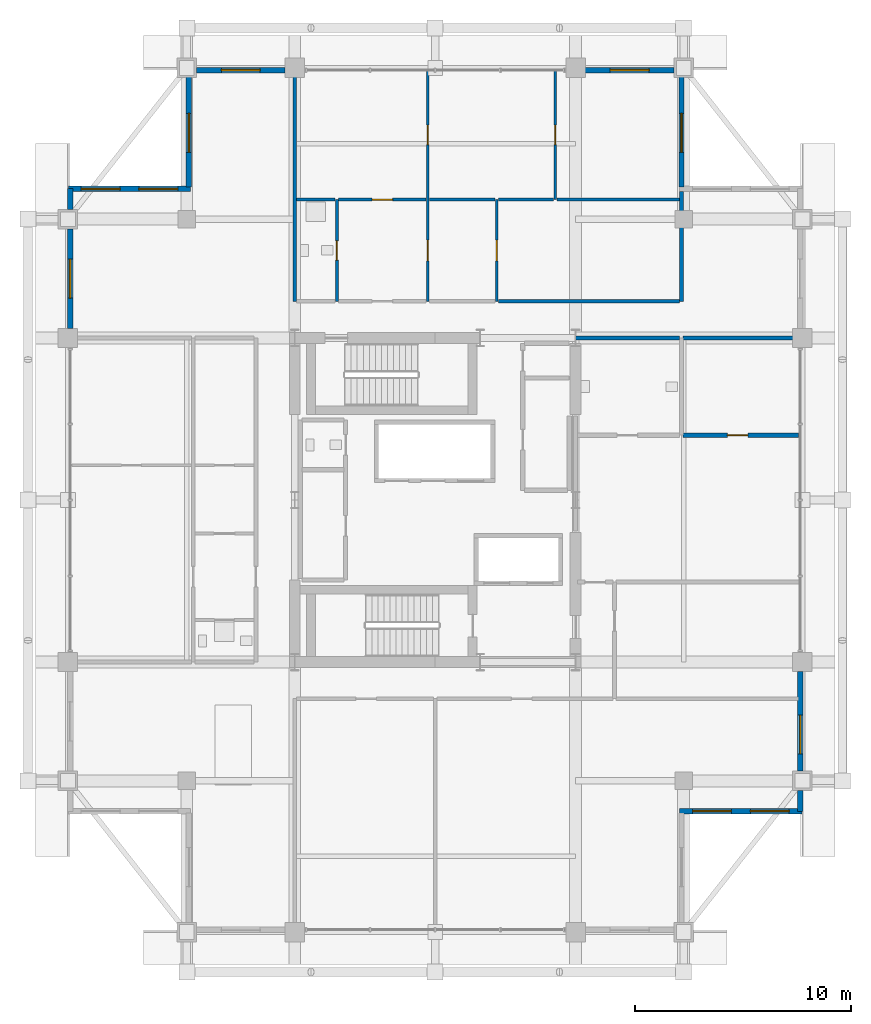
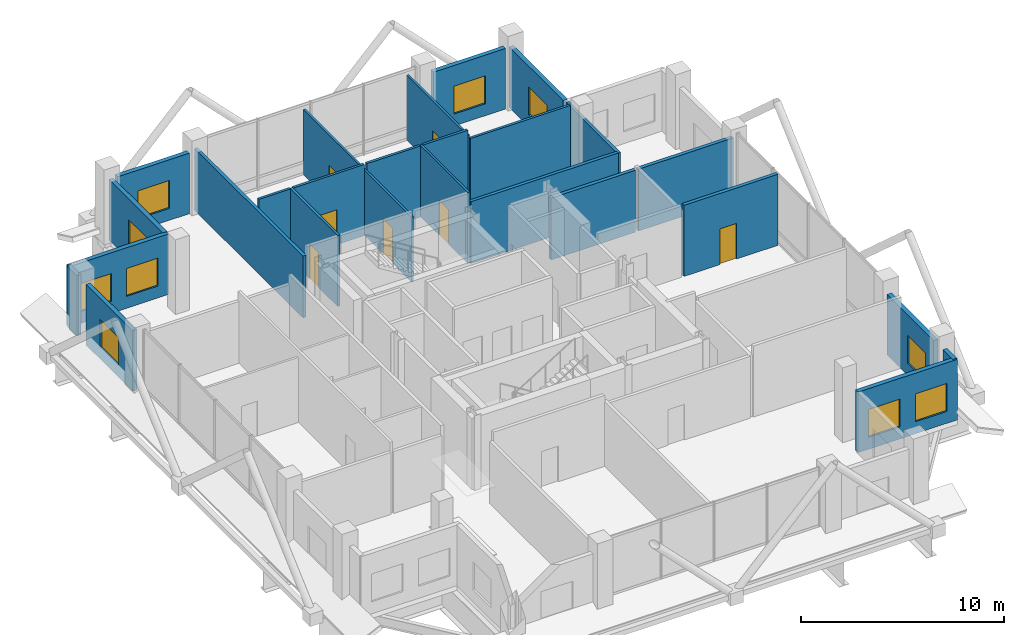
# One storey, part 22 of 27: 25 walls, 10 windows, 7 doors, 17 openings.
"""IFC4 building model written with IfcOpenShell, lengths in metres."""

from ifc_helpers import new_model, si_unit, direction, frame, frame_2d, origin, place, context, subcontext, project, spatial, rectangle, extrude, material, layer, layer_set, type_object, element, fill, save


model = new_model("IFC4")

# Units and contexts
model_context = context("Model", 3, precision=1e-05, world=origin(), true_north=direction((0.0, 1.0)))
body_context = subcontext(model_context, "Body", "Model", "MODEL_VIEW")
ifc_project = project(units=[si_unit("LENGTHUNIT", "METRE"), si_unit("AREAUNIT", "SQUARE_METRE"), si_unit("VOLUMEUNIT", "CUBIC_METRE"), si_unit("PLANEANGLEUNIT", "RADIAN"), si_unit("MASSUNIT", "GRAM", prefix="KILO")], contexts=[model_context])

# Site, building, storey
site_placement = place(None, origin())
site = spatial("IfcSite", under=ifc_project, at=site_placement, CompositionType="ELEMENT")
building_placement = place(site_placement, origin())
building = spatial("IfcBuilding", under=site, at=building_placement, Name="Barlavira Tower and Art Museum", CompositionType="ELEMENT")
storey_placement = place(building_placement, frame((0.0, 0.0, 217.800048828125)))
storey = spatial("IfcBuildingStorey", under=building, at=storey_placement, Name="L56", CompositionType="ELEMENT", Elevation=217.800048828125)

# Wall, openings, doors
ifc_material_1 = material(Name="Gypsum acoustic stud partition", Category="gypsum")
ifc_layer_1 = layer(ifc_material_1, 0.1201171875, Name="Gypsum acoustic stud partition")
ifc_layer_set_1 = layer_set([ifc_layer_1], Name="Gypsum acoustic stud partition")
wall_type_1 = type_object("IfcWallType", Name="Apartment Internal Acoustic Partition 120", PredefinedType="PARTITIONING", material=ifc_layer_set_1)
wall_1_placement = place(storey_placement, frame((-0.35009765625, 9.199951171875, 0.0), z_axis=(0.0, 0.0, 1.0), x_axis=(0.0, 1.0, 0.0)))
wall_1 = element("IfcWall", 1, at=wall_1_placement, inside=storey, type_object=wall_type_1, Name="L56 Partition Wall 8", PredefinedType="PARTITIONING", context=body_context, shape_type="SweptSolid", body=[
    extrude(rectangle(XDim=10.699951171875, YDim=0.1201171875, at=frame_2d((5.35009765625, 0.0))), origin(), (0.0, 0.0, 1.0), 3.91796875),
])
opening_1_placement = place(wall_1_placement, frame((1.875, 0.0, 0.0)))
opening_1 = element("IfcOpeningElement", 2, at=opening_1_placement, cuts=wall_1, Name="Opening D-02", PredefinedType="OPENING", context=body_context, shape_type="SweptSolid", body=[
    extrude(rectangle(XDim=0.949951171875, YDim=2.10009765625, at=frame_2d((0.47509765625, 1.050048828125))), frame((0.0, 0.070068359375, 0.0), z_axis=(0.0, -1.0, 0.0), x_axis=(1.0, 0.0, 0.0)), (0.0, 0.0, 1.0), 0.14013671875),
])
opening_2_placement = place(wall_1_placement, frame((7.25, 0.0, 0.0)))
opening_2 = element("IfcOpeningElement", 3, at=opening_2_placement, cuts=wall_1, Name="Opening D-01", PredefinedType="OPENING", context=body_context, shape_type="SweptSolid", body=[
    extrude(rectangle(XDim=0.89990234375, YDim=2.10009765625, at=frame_2d((0.449951171875, 1.050048828125))), frame((0.0, 0.070068359375, 0.0), z_axis=(0.0, -1.0, 0.0), x_axis=(1.0, 0.0, 0.0)), (0.0, 0.0, 1.0), 0.14013671875),
])
ifc_material_2 = material(Name="Engineered coastal hardwood", Category="wood")
door_type_1 = type_object("IfcDoorType", Name="Internal Bedroom Timber Flush Door 900x2100", OperationType="NOTDEFINED", PredefinedType="DOOR", material=ifc_material_2)
door_1_placement = place(opening_2_placement, origin())
door_1 = element("IfcDoor", 4, at=door_1_placement, inside=storey, type_object=door_type_1, Name="Apartment SKY-N1 Bedroom 1 Door", OperationType="SINGLE_SWING_RIGHT", OverallHeight=2.10009765625, OverallWidth=0.89990234375, PredefinedType="DOOR", context=body_context, shape_type="SweptSolid", body=[
    extrude(rectangle(XDim=0.89990234375, YDim=2.10009765625, at=frame_2d((0.449951171875, 1.050048828125))), frame((0.0, 0.02490234375, 0.0), z_axis=(0.0, -1.0, 0.0), x_axis=(1.0, 0.0, 0.0)), (0.0, 0.0, 1.0), 0.050048828125),
])
fill(opening_2, door_1)
door_type_2 = type_object("IfcDoorType", Name="Living and Salon Glazed-Leaf Door 950x2100", OperationType="NOTDEFINED", PredefinedType="DOOR", material=ifc_material_2)
door_2_placement = place(opening_1_placement, origin())
door_2 = element("IfcDoor", 5, at=door_2_placement, inside=storey, type_object=door_type_2, Name="Apartment SKY-N1 Kitchen Door", OperationType="SINGLE_SWING_LEFT", OverallHeight=2.10009765625, OverallWidth=0.949951171875, PredefinedType="DOOR", context=body_context, shape_type="SweptSolid", body=[
    extrude(rectangle(XDim=0.949951171875, YDim=2.10009765625, at=frame_2d((0.47509765625, 1.050048828125))), frame((0.0, 0.02490234375, 0.0), z_axis=(0.0, -1.0, 0.0), x_axis=(1.0, 0.0, 0.0)), (0.0, 0.0, 1.0), 0.050048828125),
])
fill(opening_1, door_2)

# Wall, opening, door
wall_2_placement = place(storey_placement, frame((2.85009765625, 9.199951171875, 0.0), z_axis=(0.0, 0.0, 1.0), x_axis=(0.0, 1.0, 0.0)))
wall_2 = element("IfcWall", 6, at=wall_2_placement, inside=storey, type_object=wall_type_1, Name="L56 Partition Wall 10", PredefinedType="PARTITIONING", context=body_context, shape_type="SweptSolid", body=[
    extrude(rectangle(XDim=4.699951171875, YDim=0.1201171875, at=frame_2d((2.35009765625, 0.0))), origin(), (0.0, 0.0, 1.0), 4.280029296875),
])
opening_3_placement = place(wall_2_placement, frame((1.875, 0.0, 0.0)))
opening_3 = element("IfcOpeningElement", 7, at=opening_3_placement, cuts=wall_2, Name="Opening D-02", PredefinedType="OPENING", context=body_context, shape_type="SweptSolid", body=[
    extrude(rectangle(XDim=0.949951171875, YDim=2.10009765625, at=frame_2d((0.47509765625, 1.050048828125))), frame((0.0, 0.070068359375, 0.0), z_axis=(0.0, -1.0, 0.0), x_axis=(1.0, 0.0, 0.0)), (0.0, 0.0, 1.0), 0.14013671875),
])
door_3_placement = place(opening_3_placement, origin())
door_3 = element("IfcDoor", 8, at=door_3_placement, inside=storey, type_object=door_type_2, Name="Apartment SKY-N1 Dining Salon Door", OperationType="SINGLE_SWING_RIGHT", OverallHeight=2.10009765625, OverallWidth=0.949951171875, PredefinedType="DOOR", context=body_context, shape_type="SweptSolid", body=[
    extrude(rectangle(XDim=0.949951171875, YDim=2.10009765625, at=frame_2d((0.47509765625, 1.050048828125))), frame((0.0, 0.02490234375, 0.0), z_axis=(0.0, -1.0, 0.0), x_axis=(1.0, 0.0, 0.0)), (0.0, 0.0, 1.0), 0.050048828125),
])
fill(opening_3, door_3)

wall_3_placement = place(storey_placement, frame((5.550048828125, 13.89990234375, 0.0), z_axis=(0.0, 0.0, 1.0), x_axis=(0.0, 1.0, 0.0)))
wall_3 = element("IfcWall", 9, at=wall_3_placement, inside=storey, type_object=wall_type_1, Name="L56 Partition Wall 12", PredefinedType="PARTITIONING", context=body_context, shape_type="SweptSolid", body=[
    extrude(rectangle(XDim=6.0, YDim=0.1201171875, at=frame_2d((3.0, 0.0))), origin(), (0.0, 0.0, 1.0), 3.91796875),
])
opening_4_placement = place(wall_3_placement, frame((2.550048828125, 0.0, 0.0)))
opening_4 = element("IfcOpeningElement", 10, at=opening_4_placement, cuts=wall_3, Name="Opening D-01", PredefinedType="OPENING", context=body_context, shape_type="SweptSolid", body=[
    extrude(rectangle(XDim=0.89990234375, YDim=2.10009765625, at=frame_2d((0.449951171875, 1.050048828125))), frame((0.0, 0.070068359375, 0.0), z_axis=(0.0, -1.0, 0.0), x_axis=(1.0, 0.0, 0.0)), (0.0, 0.0, 1.0), 0.14013671875),
])
door_4_placement = place(opening_4_placement, origin())
door_4 = element("IfcDoor", 11, at=door_4_placement, inside=storey, type_object=door_type_1, Name="Apartment SKY-N1 Bedroom 2 Door", OperationType="SINGLE_SWING_LEFT", OverallHeight=2.10009765625, OverallWidth=0.89990234375, PredefinedType="DOOR", context=body_context, shape_type="SweptSolid", body=[
    extrude(rectangle(XDim=0.89990234375, YDim=2.10009765625, at=frame_2d((0.449951171875, 1.050048828125))), frame((0.0, 0.02490234375, 0.0), z_axis=(0.0, -1.0, 0.0), x_axis=(1.0, 0.0, 0.0)), (0.0, 0.0, 1.0), 0.050048828125),
])
fill(opening_4, door_4)

ifc_material_3 = material(Name="Autoclaved aerated concrete masonry", Category="masonry")
ifc_layer_2 = layer(ifc_material_3, 0.199951171875, Name="Autoclaved aerated concrete masonry")
ifc_layer_set_2 = layer_set([ifc_layer_2], Name="Autoclaved aerated concrete masonry")
wall_type_2 = type_object("IfcWallType", Name="Fire Compartment and Shaft Wall 200", PredefinedType="SOLIDWALL", material=ifc_layer_set_2)
wall_4_placement = place(storey_placement, frame((11.47998046875, 3.0, 0.0), z_axis=(0.0, 0.0, 1.0), x_axis=(1.0, 0.0, 0.0)))
wall_4 = element("IfcWall", 12, at=wall_4_placement, inside=storey, type_object=wall_type_2, Name="L56 Partition Wall 33", PredefinedType="SOLIDWALL", context=body_context, shape_type="SweptSolid", body=[
    extrude(rectangle(XDim=5.340087890625, YDim=0.199951171875, at=frame_2d((2.669921875, 0.0))), origin(), (0.0, 0.0, 1.0), 4.280029296875),
])
opening_5_placement = place(wall_4_placement, frame((2.044921875, 0.0, 0.0)))
opening_5 = element("IfcOpeningElement", 13, at=opening_5_placement, cuts=wall_4, Name="Opening FD-60", PredefinedType="OPENING", context=body_context, shape_type="SweptSolid", body=[
    extrude(rectangle(XDim=0.949951171875, YDim=2.14990234375, at=frame_2d((0.47509765625, 1.074951171875))), frame((0.0, 0.10986328125, 0.0), z_axis=(0.0, -1.0, 0.0), x_axis=(1.0, 0.0, 0.0)), (0.0, 0.0, 1.0), 0.219970703125),
])
ifc_material_4 = material(Name="Brushed stainless steel", Category="steel")
door_type_3 = type_object("IfcDoorType", Name="Apartment Entrance and Riser Fire Door 950x2150 FD60S", OperationType="NOTDEFINED", PredefinedType="DOOR", material=ifc_material_4)
door_5_placement = place(opening_5_placement, origin())
door_5 = element("IfcDoor", 14, at=door_5_placement, inside=storey, type_object=door_type_3, Name="Sky Concierge Luggage Store Door", OperationType="SINGLE_SWING_RIGHT", OverallHeight=2.14990234375, OverallWidth=0.949951171875, PredefinedType="DOOR", context=body_context, shape_type="SweptSolid", body=[
    extrude(rectangle(XDim=0.949951171875, YDim=2.14990234375, at=frame_2d((0.47509765625, 1.074951171875))), frame((0.0, 0.02490234375, 0.0), z_axis=(0.0, -1.0, 0.0), x_axis=(1.0, 0.0, 0.0)), (0.0, 0.0, 1.0), 0.050048828125),
])
fill(opening_5, door_5)

# Walls
wall_5_placement = place(storey_placement, frame((6.5, 7.5, 0.0), z_axis=(0.0, 0.0, 1.0), x_axis=(1.0, 0.0, 0.0)))
element("IfcWall", 15, at=wall_5_placement, inside=storey, type_object=wall_type_2, Name="L56 Partition Wall 39", PredefinedType="SOLIDWALL", context=body_context, shape_type="SweptSolid", body=[
    extrude(rectangle(XDim=4.820068359375, YDim=0.199951171875, at=frame_2d((2.41015625, 0.0))), origin(), (0.0, 0.0, 1.0), 3.725830078125),
])
wall_6_placement = place(storey_placement, frame((11.47998046875, 7.5, 0.0), z_axis=(0.0, 0.0, 1.0), x_axis=(1.0, 0.0, 0.0)))
element("IfcWall", 16, at=wall_6_placement, inside=storey, type_object=wall_type_2, Name="L56 Partition Wall 40", PredefinedType="SOLIDWALL", context=body_context, shape_type="SweptSolid", body=[
    extrude(rectangle(XDim=5.419921875, YDim=0.199951171875, at=frame_2d((2.7099609375, 0.0))), origin(), (0.0, 0.0, 1.0), 3.725830078125),
])
ifc_layer_3 = layer(ifc_material_1, 0.179931640625, Name="Gypsum acoustic stud partition")
ifc_layer_set_3 = layer_set([ifc_layer_3], Name="Gypsum acoustic stud partition")
wall_type_3 = type_object("IfcWallType", Name="Inter-Tenancy Party Partition Wall 180", PredefinedType="PARTITIONING", material=ifc_layer_set_3)
wall_7_placement = place(storey_placement, frame((-6.5, 9.199951171875, 0.0), z_axis=(0.0, 0.0, 1.0), x_axis=(0.0, 1.0, 0.0)))
element("IfcWall", 17, at=wall_7_placement, inside=storey, type_object=wall_type_3, Name="L56 Partition Wall 4", PredefinedType="PARTITIONING", context=body_context, shape_type="SweptSolid", body=[
    extrude(rectangle(XDim=10.699951171875, YDim=0.179931640625, at=frame_2d((5.35009765625, 0.0))), origin(), (0.0, 0.0, 1.0), 3.725830078125),
])
wall_8_placement = place(storey_placement, frame((11.39990234375, 9.199951171875, 0.0), z_axis=(0.0, 0.0, 1.0), x_axis=(0.0, 1.0, 0.0)))
element("IfcWall", 18, at=wall_8_placement, inside=storey, type_object=wall_type_3, Name="L56 Partition Wall 17", PredefinedType="PARTITIONING", context=body_context, shape_type="SweptSolid", body=[
    extrude(rectangle(XDim=5.070068359375, YDim=0.179931640625, at=frame_2d((2.53515625, 0.0))), origin(), (0.0, 0.0, 1.0), 3.64794921875),
])
wall_9_placement = place(storey_placement, frame((2.929931640625, 9.199951171875, 0.0), z_axis=(0.0, 0.0, 1.0), x_axis=(1.0, 0.0, 0.0)))
element("IfcWall", 19, at=wall_9_placement, inside=storey, type_object=wall_type_3, Name="L56 Partition Wall 44", PredefinedType="PARTITIONING", context=body_context, shape_type="SweptSolid", body=[
    extrude(rectangle(XDim=8.39013671875, YDim=0.179931640625, at=frame_2d((4.195068359375, 0.0))), origin(), (0.0, 0.0, 1.0), 3.725830078125),
])

# Wall, opening, door
ifc_layer_4 = layer(ifc_material_1, 0.139892578125, Name="Gypsum acoustic stud partition")
ifc_layer_set_4 = layer_set([ifc_layer_4], Name="Gypsum acoustic stud partition")
wall_type_4 = type_object("IfcWallType", Name="Moisture-Resistant Bathroom Partition 140", PredefinedType="PARTITIONING", material=ifc_layer_set_4)
wall_10_placement = place(storey_placement, frame((-4.550048828125, 9.199951171875, 0.0), z_axis=(0.0, 0.0, 1.0), x_axis=(0.0, 1.0, 0.0)))
wall_10 = element("IfcWall", 20, at=wall_10_placement, inside=storey, type_object=wall_type_4, Name="L56 Partition Wall 6", PredefinedType="PARTITIONING", context=body_context, shape_type="SweptSolid", body=[
    extrude(rectangle(XDim=4.699951171875, YDim=0.139892578125, at=frame_2d((2.35009765625, 0.0))), origin(), (0.0, 0.0, 1.0), 4.280029296875),
])
opening_6_placement = place(wall_10_placement, frame((1.89990234375, 0.0, 0.0)))
opening_6 = element("IfcOpeningElement", 21, at=opening_6_placement, cuts=wall_10, Name="Opening D-WC", PredefinedType="OPENING", context=body_context, shape_type="SweptSolid", body=[
    extrude(rectangle(XDim=0.89990234375, YDim=2.10009765625, at=frame_2d((0.449951171875, 1.050048828125))), frame((0.0, 0.080078125, 0.0), z_axis=(0.0, -1.0, 0.0), x_axis=(1.0, 0.0, 0.0)), (0.0, 0.0, 1.0), 0.159912109375),
])
door_type_4 = type_object("IfcDoorType", Name="Accessible Bathroom Flush Door 900x2100", OperationType="NOTDEFINED", PredefinedType="DOOR", material=ifc_material_2)
door_6_placement = place(opening_6_placement, origin())
door_6 = element("IfcDoor", 22, at=door_6_placement, inside=storey, type_object=door_type_4, Name="Apartment SKY-N1 Hall Bathroom Door", OperationType="SINGLE_SWING_LEFT", OverallHeight=2.10009765625, OverallWidth=0.89990234375, PredefinedType="DOOR", context=body_context, shape_type="SweptSolid", body=[
    extrude(rectangle(XDim=0.89990234375, YDim=2.10009765625, at=frame_2d((0.449951171875, 1.050048828125))), frame((0.0, 0.02490234375, 0.0), z_axis=(0.0, -1.0, 0.0), x_axis=(1.0, 0.0, 0.0)), (0.0, 0.0, 1.0), 0.050048828125),
])
fill(opening_6, door_6)

# Wall
wall_11_placement = place(storey_placement, frame((-6.419921875, 13.89990234375, 0.0), z_axis=(0.0, 0.0, 1.0), x_axis=(1.0, 0.0, 0.0)))
element("IfcWall", 23, at=wall_11_placement, inside=storey, type_object=wall_type_4, Name="L56 Partition Wall 45", PredefinedType="PARTITIONING", context=body_context, shape_type="SweptSolid", body=[
    extrude(rectangle(XDim=1.7900390625, YDim=0.139892578125, at=frame_2d((0.89501953125, 0.0))), origin(), (0.0, 0.0, 1.0), 4.280029296875),
])

# Wall, opening, door
wall_12_placement = place(storey_placement, frame((-4.469970703125, 13.89990234375, 0.0), z_axis=(0.0, 0.0, 1.0), x_axis=(1.0, 0.0, 0.0)))
wall_12 = element("IfcWall", 24, at=wall_12_placement, inside=storey, type_object=wall_type_4, Name="L56 Partition Wall 46", PredefinedType="PARTITIONING", context=body_context, shape_type="SweptSolid", body=[
    extrude(rectangle(XDim=4.0400390625, YDim=0.139892578125, at=frame_2d((2.02001953125, 0.0))), origin(), (0.0, 0.0, 1.0), 4.280029296875),
])
opening_7_placement = place(wall_12_placement, frame((1.544921875, 0.0, 0.0)))
opening_7 = element("IfcOpeningElement", 25, at=opening_7_placement, cuts=wall_12, Name="Opening D-02", PredefinedType="OPENING", context=body_context, shape_type="SweptSolid", body=[
    extrude(rectangle(XDim=0.949951171875, YDim=2.10009765625, at=frame_2d((0.47509765625, 1.050048828125))), frame((0.0, 0.080078125, 0.0), z_axis=(0.0, -1.0, 0.0), x_axis=(1.0, 0.0, 0.0)), (0.0, 0.0, 1.0), 0.159912109375),
])
door_7_placement = place(opening_7_placement, origin())
door_7 = element("IfcDoor", 26, at=door_7_placement, inside=storey, type_object=door_type_2, Name="Apartment SKY-N1 Living Lounge Door", OperationType="SINGLE_SWING_LEFT", OverallHeight=2.10009765625, OverallWidth=0.949951171875, PredefinedType="DOOR", context=body_context, shape_type="SweptSolid", body=[
    extrude(rectangle(XDim=0.949951171875, YDim=2.10009765625, at=frame_2d((0.47509765625, 1.050048828125))), frame((0.0, 0.02490234375, 0.0), z_axis=(0.0, -1.0, 0.0), x_axis=(1.0, 0.0, 0.0)), (0.0, 0.0, 1.0), 0.050048828125),
])
fill(opening_7, door_7)

# Walls
wall_13_placement = place(storey_placement, frame((-0.27001953125, 13.89990234375, 0.0), z_axis=(0.0, 0.0, 1.0), x_axis=(1.0, 0.0, 0.0)))
element("IfcWall", 27, at=wall_13_placement, inside=storey, type_object=wall_type_4, Name="L56 Partition Wall 47", PredefinedType="PARTITIONING", context=body_context, shape_type="SweptSolid", body=[
    extrude(rectangle(XDim=3.0400390625, YDim=0.139892578125, at=frame_2d((1.52001953125, 0.0))), origin(), (0.0, 0.0, 1.0), 4.280029296875),
])
wall_14_placement = place(storey_placement, frame((2.929931640625, 13.89990234375, 0.0), z_axis=(0.0, 0.0, 1.0), x_axis=(1.0, 0.0, 0.0)))
element("IfcWall", 28, at=wall_14_placement, inside=storey, type_object=wall_type_4, Name="L56 Partition Wall 48", PredefinedType="PARTITIONING", context=body_context, shape_type="SweptSolid", body=[
    extrude(rectangle(XDim=2.5400390625, YDim=0.139892578125, at=frame_2d((1.27001953125, 0.0))), origin(), (0.0, 0.0, 1.0), 4.280029296875),
])
wall_15_placement = place(storey_placement, frame((5.6298828125, 13.89990234375, 0.0), z_axis=(0.0, 0.0, 1.0), x_axis=(1.0, 0.0, 0.0)))
element("IfcWall", 29, at=wall_15_placement, inside=storey, type_object=wall_type_4, Name="L56 Partition Wall 49", PredefinedType="PARTITIONING", context=body_context, shape_type="SweptSolid", body=[
    extrude(rectangle(XDim=5.690185546875, YDim=0.139892578125, at=frame_2d((2.84521484375, 0.0))), origin(), (0.0, 0.0, 1.0), 3.725830078125),
])

# Wall, opening, window
ifc_material_5 = material(Name="Precast concrete C40", Category="concrete")
ifc_layer_5 = layer(ifc_material_5, 0.25, Name="Precast concrete C40")
ifc_layer_set_5 = layer_set([ifc_layer_5], Name="Precast concrete C40")
wall_type_5 = type_object("IfcWallType", Name="Notched Corner Spandrel Wall 250 Precast Concrete C40", PredefinedType="SOLIDWALL", material=ifc_layer_set_5)
wall_16_placement = place(storey_placement, frame((11.054931640625, 19.89990234375, 0.0), z_axis=(0.0, 0.0, 1.0), x_axis=(-1.0, 0.0, 0.0)))
wall_16 = element("IfcWall", 30, at=wall_16_placement, inside=storey, type_object=wall_type_5, Name="L56 Coastal Facade Pier Wall CW4-L56-N-1", PredefinedType="SOLIDWALL", context=body_context, shape_type="SweptSolid", body=[
    extrude(rectangle(XDim=4.10986328125, YDim=0.25, at=frame_2d((2.054931640625, 0.0))), origin(), (0.0, 0.0, 1.0), 3.64794921875),
])
opening_8_placement = place(wall_16_placement, frame((1.155029296875, 0.0, 0.719970703125)))
opening_8 = element("IfcOpeningElement", 31, at=opening_8_placement, cuts=wall_16, Name="Opening WN-01", PredefinedType="OPENING", context=body_context, shape_type="SweptSolid", body=[
    extrude(rectangle(XDim=1.800048828125, YDim=1.679931640625, at=frame_2d((0.89990234375, 0.83984375))), frame((0.0, 0.135009765625, 0.0), z_axis=(0.0, -1.0, 0.0), x_axis=(1.0, 0.0, 0.0)), (0.0, 0.0, 1.0), 0.27001953125),
])
ifc_material_6 = material(Name="Low-iron coastal laminated glass", Category="glass")
window_type = type_object("IfcWindowType", Name="Recessed Notch Corner Punch Window 1800x1680", PartitioningType="SINGLE_PANEL", PredefinedType="WINDOW", material=ifc_material_6)
window_1_placement = place(opening_8_placement, origin())
window_1 = element("IfcWindow", 32, at=window_1_placement, inside=storey, type_object=window_type, Name="L56 Punched Facade Window EWP-CW4-L56-N-1-1", OverallHeight=1.679931640625, OverallWidth=1.800048828125, PartitioningType="SINGLE_PANEL", PredefinedType="WINDOW", context=body_context, shape_type="SweptSolid", body=[
    extrude(rectangle(XDim=1.800048828125, YDim=1.679931640625, at=frame_2d((0.89990234375, 0.83984375))), frame((0.0, 0.030029296875, 0.0), z_axis=(0.0, -1.0, 0.0), x_axis=(1.0, 0.0, 0.0)), (0.0, 0.0, 1.0), 0.06005859375),
])
fill(opening_8, window_1)

wall_17_placement = place(storey_placement, frame((-6.945068359375, 19.89990234375, 0.0), z_axis=(0.0, 0.0, 1.0), x_axis=(-1.0, 0.0, 0.0)))
wall_17 = element("IfcWall", 33, at=wall_17_placement, inside=storey, type_object=wall_type_5, Name="L56 Coastal Facade Pier Wall CW4-L56-N-3", PredefinedType="SOLIDWALL", context=body_context, shape_type="SweptSolid", body=[
    extrude(rectangle(XDim=4.10986328125, YDim=0.25, at=frame_2d((2.054931640625, 0.0))), origin(), (0.0, 0.0, 1.0), 3.64794921875),
])
opening_9_placement = place(wall_17_placement, frame((1.155029296875, 0.0, 0.719970703125)))
opening_9 = element("IfcOpeningElement", 34, at=opening_9_placement, cuts=wall_17, Name="Opening WN-01", PredefinedType="OPENING", context=body_context, shape_type="SweptSolid", body=[
    extrude(rectangle(XDim=1.800048828125, YDim=1.679931640625, at=frame_2d((0.89990234375, 0.83984375))), frame((0.0, 0.135009765625, 0.0), z_axis=(0.0, -1.0, 0.0), x_axis=(1.0, 0.0, 0.0)), (0.0, 0.0, 1.0), 0.27001953125),
])
window_2_placement = place(opening_9_placement, origin())
window_2 = element("IfcWindow", 35, at=window_2_placement, inside=storey, type_object=window_type, Name="L56 Punched Facade Window EWP-CW4-L56-N-3-1", OverallHeight=1.679931640625, OverallWidth=1.800048828125, PartitioningType="SINGLE_PANEL", PredefinedType="WINDOW", context=body_context, shape_type="SweptSolid", body=[
    extrude(rectangle(XDim=1.800048828125, YDim=1.679931640625, at=frame_2d((0.89990234375, 0.83984375))), frame((0.0, 0.030029296875, 0.0), z_axis=(0.0, -1.0, 0.0), x_axis=(1.0, 0.0, 0.0)), (0.0, 0.0, 1.0), 0.06005859375),
])
fill(opening_9, window_2)

# Wall
wall_18_placement = place(storey_placement, frame((-16.89990234375, 14.425048828125, 0.0), z_axis=(0.0, 0.0, 1.0), x_axis=(0.0, -1.0, 0.0)))
element("IfcWall", 36, at=wall_18_placement, inside=storey, type_object=wall_type_5, Name="L56 Coastal Facade Pier Wall CW4-L56-W-1", PredefinedType="SOLIDWALL", context=body_context, shape_type="SweptSolid", body=[
    extrude(rectangle(XDim=0.97998046875, YDim=0.25, at=frame_2d((0.489990234375, 0.0))), origin(), (0.0, 0.0, 1.0), 3.64794921875),
])

# Wall, opening, window
wall_19_placement = place(storey_placement, frame((-16.89990234375, 12.554931640625, 0.0), z_axis=(0.0, 0.0, 1.0), x_axis=(0.0, -1.0, 0.0)))
wall_19 = element("IfcWall", 37, at=wall_19_placement, inside=storey, type_object=wall_type_5, Name="L56 Coastal Facade Pier Wall CW4-L56-W-2", PredefinedType="SOLIDWALL", context=body_context, shape_type="SweptSolid", body=[
    extrude(rectangle(XDim=4.60986328125, YDim=0.25, at=frame_2d((2.304931640625, 0.0))), origin(), (0.0, 0.0, 1.0), 3.64794921875),
])
opening_10_placement = place(wall_19_placement, frame((1.405029296875, 0.0, 0.719970703125)))
opening_10 = element("IfcOpeningElement", 38, at=opening_10_placement, cuts=wall_19, Name="Opening WN-01", PredefinedType="OPENING", context=body_context, shape_type="SweptSolid", body=[
    extrude(rectangle(XDim=1.800048828125, YDim=1.679931640625, at=frame_2d((0.89990234375, 0.83984375))), frame((0.0, 0.135009765625, 0.0), z_axis=(0.0, -1.0, 0.0), x_axis=(1.0, 0.0, 0.0)), (0.0, 0.0, 1.0), 0.27001953125),
])
window_3_placement = place(opening_10_placement, origin())
window_3 = element("IfcWindow", 39, at=window_3_placement, inside=storey, type_object=window_type, Name="L56 Punched Facade Window EWP-CW4-L56-W-2-1", OverallHeight=1.679931640625, OverallWidth=1.800048828125, PartitioningType="SINGLE_PANEL", PredefinedType="WINDOW", context=body_context, shape_type="SweptSolid", body=[
    extrude(rectangle(XDim=1.800048828125, YDim=1.679931640625, at=frame_2d((0.89990234375, 0.83984375))), frame((0.0, 0.030029296875, 0.0), z_axis=(0.0, -1.0, 0.0), x_axis=(1.0, 0.0, 0.0)), (0.0, 0.0, 1.0), 0.06005859375),
])
fill(opening_10, window_3)

# Wall
wall_20_placement = place(storey_placement, frame((16.89990234375, -14.425048828125, 0.0), z_axis=(0.0, 0.0, 1.0), x_axis=(0.0, 1.0, 0.0)))
element("IfcWall", 40, at=wall_20_placement, inside=storey, type_object=wall_type_5, Name="L56 Coastal Facade Pier Wall CW4-L56-E-1", PredefinedType="SOLIDWALL", context=body_context, shape_type="SweptSolid", body=[
    extrude(rectangle(XDim=0.97998046875, YDim=0.25, at=frame_2d((0.489990234375, 0.0))), origin(), (0.0, 0.0, 1.0), 3.64794921875),
])

# Wall, opening, window
wall_21_placement = place(storey_placement, frame((16.89990234375, -12.554931640625, 0.0), z_axis=(0.0, 0.0, 1.0), x_axis=(0.0, 1.0, 0.0)))
wall_21 = element("IfcWall", 41, at=wall_21_placement, inside=storey, type_object=wall_type_5, Name="L56 Coastal Facade Pier Wall CW4-L56-E-2", PredefinedType="SOLIDWALL", context=body_context, shape_type="SweptSolid", body=[
    extrude(rectangle(XDim=4.60986328125, YDim=0.25, at=frame_2d((2.304931640625, 0.0))), origin(), (0.0, 0.0, 1.0), 3.64794921875),
])
opening_11_placement = place(wall_21_placement, frame((0.800048828125, 0.0, 0.719970703125)))
opening_11 = element("IfcOpeningElement", 42, at=opening_11_placement, cuts=wall_21, Name="Opening WN-01", PredefinedType="OPENING", context=body_context, shape_type="SweptSolid", body=[
    extrude(rectangle(XDim=1.800048828125, YDim=1.679931640625, at=frame_2d((0.89990234375, 0.83984375))), frame((0.0, 0.135009765625, 0.0), z_axis=(0.0, -1.0, 0.0), x_axis=(1.0, 0.0, 0.0)), (0.0, 0.0, 1.0), 0.27001953125),
])
window_4_placement = place(opening_11_placement, origin())
window_4 = element("IfcWindow", 43, at=window_4_placement, inside=storey, type_object=window_type, Name="L56 Punched Facade Window EWP-CW4-L56-E-2-1", OverallHeight=1.679931640625, OverallWidth=1.800048828125, PartitioningType="SINGLE_PANEL", PredefinedType="WINDOW", context=body_context, shape_type="SweptSolid", body=[
    extrude(rectangle(XDim=1.800048828125, YDim=1.679931640625, at=frame_2d((0.89990234375, 0.83984375))), frame((0.0, 0.030029296875, 0.0), z_axis=(0.0, -1.0, 0.0), x_axis=(1.0, 0.0, 0.0)), (0.0, 0.0, 1.0), 0.06005859375),
])
fill(opening_11, window_4)

# Wall, openings, windows
wall_22_placement = place(storey_placement, frame((11.320068359375, -14.39990234375, 0.0), z_axis=(0.0, 0.0, 1.0), x_axis=(1.0, 0.0, 0.0)))
wall_22 = element("IfcWall", 44, at=wall_22_placement, inside=storey, type_object=wall_type_5, Name="L56 Notch Corner Wall SE2", PredefinedType="SOLIDWALL", context=body_context, shape_type="SweptSolid", body=[
    extrude(rectangle(XDim=5.659912109375, YDim=0.25, at=frame_2d((2.830078125, 0.0))), origin(), (0.0, 0.0, 1.0), 3.64794921875),
])
opening_12_placement = place(wall_22_placement, frame((0.594970703125, 0.0, 0.719970703125)))
opening_12 = element("IfcOpeningElement", 45, at=opening_12_placement, cuts=wall_22, Name="Opening WN-01", PredefinedType="OPENING", context=body_context, shape_type="SweptSolid", body=[
    extrude(rectangle(XDim=1.800048828125, YDim=1.679931640625, at=frame_2d((0.89990234375, 0.83984375))), frame((0.0, 0.135009765625, 0.0), z_axis=(0.0, -1.0, 0.0), x_axis=(1.0, 0.0, 0.0)), (0.0, 0.0, 1.0), 0.27001953125),
])
opening_13_placement = place(wall_22_placement, frame((3.264892578125, 0.0, 0.719970703125)))
opening_13 = element("IfcOpeningElement", 46, at=opening_13_placement, cuts=wall_22, Name="Opening WN-01", PredefinedType="OPENING", context=body_context, shape_type="SweptSolid", body=[
    extrude(rectangle(XDim=1.800048828125, YDim=1.679931640625, at=frame_2d((0.89990234375, 0.83984375))), frame((0.0, 0.135009765625, 0.0), z_axis=(0.0, -1.0, 0.0), x_axis=(1.0, 0.0, 0.0)), (0.0, 0.0, 1.0), 0.27001953125),
])
window_5_placement = place(opening_12_placement, origin())
window_5 = element("IfcWindow", 47, at=window_5_placement, inside=storey, type_object=window_type, Name="L56 Punched Facade Window EW-NTC-L56-SE2-1", OverallHeight=1.679931640625, OverallWidth=1.800048828125, PartitioningType="SINGLE_PANEL", PredefinedType="WINDOW", context=body_context, shape_type="SweptSolid", body=[
    extrude(rectangle(XDim=1.800048828125, YDim=1.679931640625, at=frame_2d((0.89990234375, 0.83984375))), frame((0.0, 0.030029296875, 0.0), z_axis=(0.0, -1.0, 0.0), x_axis=(1.0, 0.0, 0.0)), (0.0, 0.0, 1.0), 0.06005859375),
])
fill(opening_12, window_5)
window_6_placement = place(opening_13_placement, origin())
window_6 = element("IfcWindow", 48, at=window_6_placement, inside=storey, type_object=window_type, Name="L56 Punched Facade Window EW-NTC-L56-SE2-2", OverallHeight=1.679931640625, OverallWidth=1.800048828125, PartitioningType="SINGLE_PANEL", PredefinedType="WINDOW", context=body_context, shape_type="SweptSolid", body=[
    extrude(rectangle(XDim=1.800048828125, YDim=1.679931640625, at=frame_2d((0.89990234375, 0.83984375))), frame((0.0, 0.030029296875, 0.0), z_axis=(0.0, -1.0, 0.0), x_axis=(1.0, 0.0, 0.0)), (0.0, 0.0, 1.0), 0.06005859375),
])
fill(opening_13, window_6)

# Wall, opening, window
wall_23_placement = place(storey_placement, frame((11.39990234375, 14.47998046875, 0.0), z_axis=(0.0, 0.0, 1.0), x_axis=(0.0, 1.0, 0.0)))
wall_23 = element("IfcWall", 49, at=wall_23_placement, inside=storey, type_object=wall_type_5, Name="L56 Notch Corner Wall NE2", PredefinedType="SOLIDWALL", context=body_context, shape_type="SweptSolid", body=[
    extrude(rectangle(XDim=5.340087890625, YDim=0.25, at=frame_2d((2.669921875, 0.0))), origin(), (0.0, 0.0, 1.0), 3.64794921875),
])
opening_14_placement = place(wall_23_placement, frame((1.614990234375, 0.0, 0.719970703125)))
opening_14 = element("IfcOpeningElement", 50, at=opening_14_placement, cuts=wall_23, Name="Opening WN-01", PredefinedType="OPENING", context=body_context, shape_type="SweptSolid", body=[
    extrude(rectangle(XDim=1.800048828125, YDim=1.679931640625, at=frame_2d((0.89990234375, 0.83984375))), frame((0.0, 0.135009765625, 0.0), z_axis=(0.0, -1.0, 0.0), x_axis=(1.0, 0.0, 0.0)), (0.0, 0.0, 1.0), 0.27001953125),
])
window_7_placement = place(opening_14_placement, origin())
window_7 = element("IfcWindow", 51, at=window_7_placement, inside=storey, type_object=window_type, Name="L56 Punched Facade Window EW-NTC-L56-NE2-1", OverallHeight=1.679931640625, OverallWidth=1.800048828125, PartitioningType="SINGLE_PANEL", PredefinedType="WINDOW", context=body_context, shape_type="SweptSolid", body=[
    extrude(rectangle(XDim=1.800048828125, YDim=1.679931640625, at=frame_2d((0.89990234375, 0.83984375))), frame((0.0, 0.030029296875, 0.0), z_axis=(0.0, -1.0, 0.0), x_axis=(1.0, 0.0, 0.0)), (0.0, 0.0, 1.0), 0.06005859375),
])
fill(opening_14, window_7)

wall_24_placement = place(storey_placement, frame((-11.39990234375, 19.820068359375, 0.0), z_axis=(0.0, 0.0, 1.0), x_axis=(0.0, -1.0, 0.0)))
wall_24 = element("IfcWall", 52, at=wall_24_placement, inside=storey, type_object=wall_type_5, Name="L56 Notch Corner Wall NW1", PredefinedType="SOLIDWALL", context=body_context, shape_type="SweptSolid", body=[
    extrude(rectangle(XDim=5.340087890625, YDim=0.25, at=frame_2d((2.669921875, 0.0))), origin(), (0.0, 0.0, 1.0), 3.64794921875),
])
opening_15_placement = place(wall_24_placement, frame((1.925048828125, 0.0, 0.719970703125)))
opening_15 = element("IfcOpeningElement", 53, at=opening_15_placement, cuts=wall_24, Name="Opening WN-01", PredefinedType="OPENING", context=body_context, shape_type="SweptSolid", body=[
    extrude(rectangle(XDim=1.800048828125, YDim=1.679931640625, at=frame_2d((0.89990234375, 0.83984375))), frame((0.0, 0.135009765625, 0.0), z_axis=(0.0, -1.0, 0.0), x_axis=(1.0, 0.0, 0.0)), (0.0, 0.0, 1.0), 0.27001953125),
])
window_8_placement = place(opening_15_placement, origin())
window_8 = element("IfcWindow", 54, at=window_8_placement, inside=storey, type_object=window_type, Name="L56 Punched Facade Window EW-NTC-L56-NW1-1", OverallHeight=1.679931640625, OverallWidth=1.800048828125, PartitioningType="SINGLE_PANEL", PredefinedType="WINDOW", context=body_context, shape_type="SweptSolid", body=[
    extrude(rectangle(XDim=1.800048828125, YDim=1.679931640625, at=frame_2d((0.89990234375, 0.83984375))), frame((0.0, 0.030029296875, 0.0), z_axis=(0.0, -1.0, 0.0), x_axis=(1.0, 0.0, 0.0)), (0.0, 0.0, 1.0), 0.06005859375),
])
fill(opening_15, window_8)

# Wall, openings, windows
wall_25_placement = place(storey_placement, frame((-11.320068359375, 14.39990234375, 0.0), z_axis=(0.0, 0.0, 1.0), x_axis=(-1.0, 0.0, 0.0)))
wall_25 = element("IfcWall", 55, at=wall_25_placement, inside=storey, type_object=wall_type_5, Name="L56 Notch Corner Wall NW2", PredefinedType="SOLIDWALL", context=body_context, shape_type="SweptSolid", body=[
    extrude(rectangle(XDim=5.659912109375, YDim=0.25, at=frame_2d((2.830078125, 0.0))), origin(), (0.0, 0.0, 1.0), 3.64794921875),
])
opening_16_placement = place(wall_25_placement, frame((0.594970703125, 0.0, 0.719970703125)))
opening_16 = element("IfcOpeningElement", 56, at=opening_16_placement, cuts=wall_25, Name="Opening WN-01", PredefinedType="OPENING", context=body_context, shape_type="SweptSolid", body=[
    extrude(rectangle(XDim=1.800048828125, YDim=1.679931640625, at=frame_2d((0.89990234375, 0.83984375))), frame((0.0, 0.135009765625, 0.0), z_axis=(0.0, -1.0, 0.0), x_axis=(1.0, 0.0, 0.0)), (0.0, 0.0, 1.0), 0.27001953125),
])
opening_17_placement = place(wall_25_placement, frame((3.264892578125, 0.0, 0.719970703125)))
opening_17 = element("IfcOpeningElement", 57, at=opening_17_placement, cuts=wall_25, Name="Opening WN-01", PredefinedType="OPENING", context=body_context, shape_type="SweptSolid", body=[
    extrude(rectangle(XDim=1.800048828125, YDim=1.679931640625, at=frame_2d((0.89990234375, 0.83984375))), frame((0.0, 0.135009765625, 0.0), z_axis=(0.0, -1.0, 0.0), x_axis=(1.0, 0.0, 0.0)), (0.0, 0.0, 1.0), 0.27001953125),
])
window_9_placement = place(opening_16_placement, origin())
window_9 = element("IfcWindow", 58, at=window_9_placement, inside=storey, type_object=window_type, Name="L56 Punched Facade Window EW-NTC-L56-NW2-1", OverallHeight=1.679931640625, OverallWidth=1.800048828125, PartitioningType="SINGLE_PANEL", PredefinedType="WINDOW", context=body_context, shape_type="SweptSolid", body=[
    extrude(rectangle(XDim=1.800048828125, YDim=1.679931640625, at=frame_2d((0.89990234375, 0.83984375))), frame((0.0, 0.030029296875, 0.0), z_axis=(0.0, -1.0, 0.0), x_axis=(1.0, 0.0, 0.0)), (0.0, 0.0, 1.0), 0.06005859375),
])
fill(opening_16, window_9)
window_10_placement = place(opening_17_placement, origin())
window_10 = element("IfcWindow", 59, at=window_10_placement, inside=storey, type_object=window_type, Name="L56 Punched Facade Window EW-NTC-L56-NW2-2", OverallHeight=1.679931640625, OverallWidth=1.800048828125, PartitioningType="SINGLE_PANEL", PredefinedType="WINDOW", context=body_context, shape_type="SweptSolid", body=[
    extrude(rectangle(XDim=1.800048828125, YDim=1.679931640625, at=frame_2d((0.89990234375, 0.83984375))), frame((0.0, 0.030029296875, 0.0), z_axis=(0.0, -1.0, 0.0), x_axis=(1.0, 0.0, 0.0)), (0.0, 0.0, 1.0), 0.06005859375),
])
fill(opening_17, window_10)

save(model, "model.ifc")
